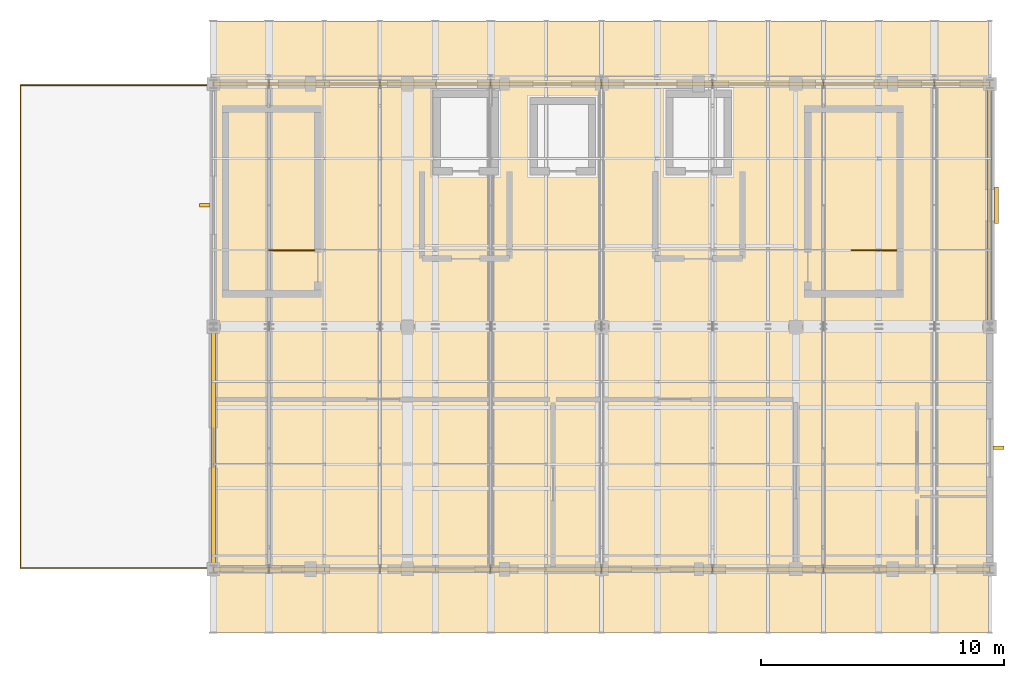
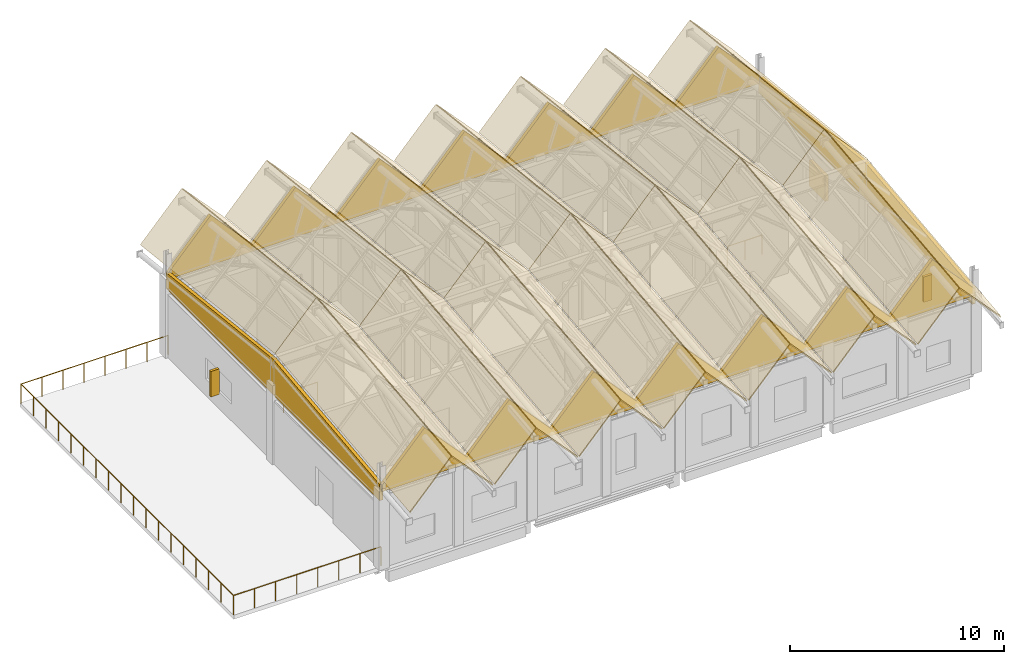
# One storey, part 15 of 15: 32 coverings, 3 railings, 3 shading devices.
"""IFC4 building model written with IfcOpenShell, lengths in metres."""

from ifc_helpers import new_model, si_unit, direction, frame, origin, origin_2d, place, context, subcontext, project, spatial, polyline, rectangle, circle, outline, extrude, material, layer, layer_set, type_object, element, save


model = new_model("IFC4")

# Units and contexts
model_context = context("Model", 3, precision=1e-05, world=origin(), true_north=direction((0.0, 1.0)))
body_context = subcontext(model_context, "Body", "Model", "MODEL_VIEW")
ifc_project = project(units=[si_unit("LENGTHUNIT", "METRE"), si_unit("AREAUNIT", "SQUARE_METRE"), si_unit("VOLUMEUNIT", "CUBIC_METRE"), si_unit("PLANEANGLEUNIT", "RADIAN"), si_unit("MASSUNIT", "GRAM", prefix="KILO")], contexts=[model_context])

# Site, building, storey
site_placement = place(None, origin())
site = spatial("IfcSite", under=ifc_project, at=site_placement, CompositionType="ELEMENT")
building_placement = place(site_placement, origin())
building = spatial("IfcBuilding", under=site, at=building_placement, Name="Luwemba Playhouse", CompositionType="ELEMENT")
storey_placement = place(building_placement, frame((0.0, 0.0, 22.800048828125)))
storey = spatial("IfcBuildingStorey", under=building, at=storey_placement, Name="L05", CompositionType="ELEMENT", Elevation=22.800048828125)

# Coverings
ifc_material_1 = material(Name="Glazed terracotta clay roof tile", Category="masonry")
ifc_layer_1 = layer(ifc_material_1, 0.06494140625)
ifc_layer_set_1 = layer_set([ifc_layer_1], Name="Glazed terracotta clay roof tile")
covering_type_1 = type_object("IfcCoveringType", Name="COV-ROOF-TILE", PredefinedType="ROOFING", material=ifc_layer_set_1)
covering_1_placement = place(storey_placement, frame((140.02490234375, 92.39990234375, 4.661376953125), z_axis=(-0.732953742841, -0.075830057606, 0.676038913983), x_axis=(0.677991015438, 0.0, 0.735070189155)))
element("IfcCovering", 1, at=covering_1_placement, inside=storey, type_object=covering_type_1, Name="RF-V6E glazed clay-tile roofing 1S", PredefinedType="ROOFING", context=body_context, shape_type="SweptSolid", body=[
    extrude(outline(polyline([(0.0, 0.0), (3.2977425848407798, 1.3877787807814457e-17), (4.336639392707256, 12.636481166819124), (1.038896807866476, 12.636481166819124), (0.0, 0.0)])), origin(), (0.0, 0.0, -1.0), 0.06494140625),
])
covering_2_placement = place(storey_placement, frame((140.02490234375, 105.0, 6.07470703125), z_axis=(-0.732953742841, 0.075830057606, 0.676038913983), x_axis=(0.677991015438, 0.0, 0.735070189155)))
element("IfcCovering", 2, at=covering_2_placement, inside=storey, type_object=covering_type_1, Name="RF-V6E glazed clay-tile roofing 1N", PredefinedType="ROOFING", context=body_context, shape_type="SweptSolid", body=[
    extrude(outline(polyline([(0.0, 0.0), (3.2977425848407798, -1.3877787807814457e-17), (2.2588457769743036, 12.636481166819124), (-1.038896807866476, 12.636481166819124), (0.0, 0.0)])), origin(), (0.0, 0.0, -1.0), 0.06494140625),
])
covering_3_placement = place(storey_placement, frame((142.310791015625, 92.39990234375, 7.08544921875), z_axis=(0.732990781785, -0.075825608971, 0.675999253581), x_axis=(0.677951010499, 0.0, -0.735107085644)))
element("IfcCovering", 3, at=covering_3_placement, inside=storey, type_object=covering_type_1, Name="RF-V6E glazed clay-tile roofing 2S", PredefinedType="ROOFING", context=body_context, shape_type="SweptSolid", body=[
    extrude(outline(polyline([(0.0, 0.0), (3.2975770645738196, 0.0), (2.2586281097904966, 12.636476879499455), (-1.038948954783323, 12.636476879499453), (0.0, 0.0)])), origin(), (0.0, 0.0, -1.0), 0.06494140625),
])
for number, where, z_axis, x_axis, name in (
    (4, (142.310791015625, 105.0, 8.498779296875), (0.732990781785, 0.075825608971, 0.675999253581), (0.677951010499, 0.0, -0.735107085644), "RF-V6E glazed clay-tile roofing 2N"),
    (5, (144.596435546875, 92.39990234375, 4.661376953125), (-0.732990781785, -0.075825608971, 0.675999253581), (0.677951010499, 0.0, 0.735107085644), "RF-V6E glazed clay-tile roofing 3S"),
):
    element("IfcCovering", number, at=place(storey_placement, frame(where, z_axis=z_axis, x_axis=x_axis)), inside=storey, type_object=covering_type_1, Name=name, PredefinedType="ROOFING", context=body_context, shape_type="SweptSolid", body=[
        extrude(outline(polyline([(0.0, 0.0), (3.2975770645738196, 0.0), (4.336526019357143, 12.636476879499453), (1.038948954783323, 12.636476879499453), (0.0, 0.0)])), origin(), (0.0, 0.0, -1.0), 0.06494140625),
    ])
covering_4_placement = place(storey_placement, frame((144.596435546875, 105.0, 6.07470703125), z_axis=(-0.732990781785, 0.075825608971, 0.675999253581), x_axis=(0.677951010499, 0.0, 0.735107085644)))
element("IfcCovering", 6, at=covering_4_placement, inside=storey, type_object=covering_type_1, Name="RF-V6E glazed clay-tile roofing 3N", PredefinedType="ROOFING", context=body_context, shape_type="SweptSolid", body=[
    extrude(outline(polyline([(0.0, 0.0), (3.2975770645738196, 0.0), (2.2586281097904966, 12.636476879499455), (-1.038948954783323, 12.636476879499453), (0.0, 0.0)])), origin(), (0.0, 0.0, -1.0), 0.06494140625),
])
covering_5_placement = place(storey_placement, frame((146.882080078125, 92.39990234375, 7.08544921875), z_axis=(0.732953742841, -0.075830057606, 0.676038913983), x_axis=(0.677991015438, 0.0, -0.735070189155)))
element("IfcCovering", 7, at=covering_5_placement, inside=storey, type_object=covering_type_1, Name="RF-V6E glazed clay-tile roofing 4S", PredefinedType="ROOFING", context=body_context, shape_type="SweptSolid", body=[
    extrude(outline(polyline([(0.0, 0.0), (3.2977425848407798, -1.3877787807814457e-17), (2.2588457769743036, 12.636481166819124), (-1.038896807866476, 12.636481166819124), (0.0, 0.0)])), origin(), (0.0, 0.0, -1.0), 0.06494140625),
])
covering_6_placement = place(storey_placement, frame((146.882080078125, 105.0, 8.498779296875), z_axis=(0.732953742841, 0.075830057606, 0.676038913983), x_axis=(0.677991015438, 0.0, -0.735070189155)))
element("IfcCovering", 8, at=covering_6_placement, inside=storey, type_object=covering_type_1, Name="RF-V6E glazed clay-tile roofing 4N", PredefinedType="ROOFING", context=body_context, shape_type="SweptSolid", body=[
    extrude(outline(polyline([(0.0, 0.0), (3.2977425848407798, 1.3877787807814457e-17), (4.336639392707256, 12.636481166819124), (1.038896807866476, 12.636481166819124), (0.0, 0.0)])), origin(), (0.0, 0.0, -1.0), 0.06494140625),
])
covering_7_placement = place(storey_placement, frame((149.16796875, 92.39990234375, 4.661376953125), z_axis=(-0.732990781785, -0.075825608971, 0.675999253581), x_axis=(0.677951010499, 0.0, 0.735107085644)))
element("IfcCovering", 9, at=covering_7_placement, inside=storey, type_object=covering_type_1, Name="RF-V6E glazed clay-tile roofing 5S", PredefinedType="ROOFING", context=body_context, shape_type="SweptSolid", body=[
    extrude(outline(polyline([(0.0, 0.0), (3.2975770645738196, 0.0), (4.336526019357143, 12.636476879499453), (1.038948954783323, 12.636476879499453), (0.0, 0.0)])), origin(), (0.0, 0.0, -1.0), 0.06494140625),
])
for number, where, z_axis, x_axis, name in (
    (10, (149.16796875, 105.0, 6.07470703125), (-0.732990781785, 0.075825608971, 0.675999253581), (0.677951010499, 0.0, 0.735107085644), "RF-V6E glazed clay-tile roofing 5N"),
    (11, (151.45361328125, 92.39990234375, 7.08544921875), (0.732990781785, -0.075825608971, 0.675999253581), (0.677951010499, 0.0, -0.735107085644), "RF-V6E glazed clay-tile roofing 6S"),
):
    element("IfcCovering", number, at=place(storey_placement, frame(where, z_axis=z_axis, x_axis=x_axis)), inside=storey, type_object=covering_type_1, Name=name, PredefinedType="ROOFING", context=body_context, shape_type="SweptSolid", body=[
        extrude(outline(polyline([(0.0, 0.0), (3.2975770645738196, 0.0), (2.2586281097904966, 12.636476879499455), (-1.038948954783323, 12.636476879499453), (0.0, 0.0)])), origin(), (0.0, 0.0, -1.0), 0.06494140625),
    ])
covering_8_placement = place(storey_placement, frame((151.45361328125, 105.0, 8.498779296875), z_axis=(0.732990781785, 0.075825608971, 0.675999253581), x_axis=(0.677951010499, 0.0, -0.735107085644)))
element("IfcCovering", 12, at=covering_8_placement, inside=storey, type_object=covering_type_1, Name="RF-V6E glazed clay-tile roofing 6N", PredefinedType="ROOFING", context=body_context, shape_type="SweptSolid", body=[
    extrude(outline(polyline([(0.0, 0.0), (3.2975770645738196, 0.0), (4.336526019357143, 12.636476879499453), (1.038948954783323, 12.636476879499453), (0.0, 0.0)])), origin(), (0.0, 0.0, -1.0), 0.06494140625),
])
covering_9_placement = place(storey_placement, frame((153.7392578125, 92.39990234375, 4.661376953125), z_axis=(-0.732953742841, -0.075830057606, 0.676038913983), x_axis=(0.677991015438, 0.0, 0.735070189155)))
element("IfcCovering", 13, at=covering_9_placement, inside=storey, type_object=covering_type_1, Name="RF-V6E glazed clay-tile roofing 7S", PredefinedType="ROOFING", context=body_context, shape_type="SweptSolid", body=[
    extrude(outline(polyline([(0.0, 0.0), (3.2977425848407798, 1.3877787807814457e-17), (4.336639392707256, 12.636481166819124), (1.038896807866476, 12.636481166819124), (0.0, 0.0)])), origin(), (0.0, 0.0, -1.0), 0.06494140625),
])
for number, where, z_axis, x_axis, name in (
    (14, (153.7392578125, 105.0, 6.07470703125), (-0.732953742841, 0.075830057606, 0.676038913983), (0.677991015438, 0.0, 0.735070189155), "RF-V6E glazed clay-tile roofing 7N"),
    (15, (156.02490234375, 92.39990234375, 7.08544921875), (0.732953742841, -0.075830057606, 0.676038913983), (0.677991015438, 0.0, -0.735070189155), "RF-V6E glazed clay-tile roofing 8S"),
):
    element("IfcCovering", number, at=place(storey_placement, frame(where, z_axis=z_axis, x_axis=x_axis)), inside=storey, type_object=covering_type_1, Name=name, PredefinedType="ROOFING", context=body_context, shape_type="SweptSolid", body=[
        extrude(outline(polyline([(0.0, 0.0), (3.2977425848407798, -1.3877787807814457e-17), (2.2588457769743036, 12.636481166819124), (-1.038896807866476, 12.636481166819124), (0.0, 0.0)])), origin(), (0.0, 0.0, -1.0), 0.06494140625),
    ])
covering_10_placement = place(storey_placement, frame((156.02490234375, 105.0, 8.498779296875), z_axis=(0.732953742841, 0.075830057606, 0.676038913983), x_axis=(0.677991015438, 0.0, -0.735070189155)))
element("IfcCovering", 16, at=covering_10_placement, inside=storey, type_object=covering_type_1, Name="RF-V6E glazed clay-tile roofing 8N", PredefinedType="ROOFING", context=body_context, shape_type="SweptSolid", body=[
    extrude(outline(polyline([(0.0, 0.0), (3.2977425848407798, 1.3877787807814457e-17), (4.336639392707256, 12.636481166819124), (1.038896807866476, 12.636481166819124), (0.0, 0.0)])), origin(), (0.0, 0.0, -1.0), 0.06494140625),
])
covering_11_placement = place(storey_placement, frame((158.310791015625, 92.39990234375, 4.661376953125), z_axis=(-0.732990781785, -0.075825608971, 0.675999253581), x_axis=(0.677951010499, 0.0, 0.735107085644)))
element("IfcCovering", 17, at=covering_11_placement, inside=storey, type_object=covering_type_1, Name="RF-V6E glazed clay-tile roofing 9S", PredefinedType="ROOFING", context=body_context, shape_type="SweptSolid", body=[
    extrude(outline(polyline([(0.0, 0.0), (3.2975770645738196, 0.0), (4.336526019357143, 12.636476879499453), (1.038948954783323, 12.636476879499453), (0.0, 0.0)])), origin(), (0.0, 0.0, -1.0), 0.06494140625),
])
for number, where, z_axis, x_axis, name in (
    (18, (158.310791015625, 105.0, 6.07470703125), (-0.732990781785, 0.075825608971, 0.675999253581), (0.677951010499, 0.0, 0.735107085644), "RF-V6E glazed clay-tile roofing 9N"),
    (19, (160.596435546875, 92.39990234375, 7.08544921875), (0.732990781785, -0.075825608971, 0.675999253581), (0.677951010499, 0.0, -0.735107085644), "RF-V6E glazed clay-tile roofing 10S"),
):
    element("IfcCovering", number, at=place(storey_placement, frame(where, z_axis=z_axis, x_axis=x_axis)), inside=storey, type_object=covering_type_1, Name=name, PredefinedType="ROOFING", context=body_context, shape_type="SweptSolid", body=[
        extrude(outline(polyline([(0.0, 0.0), (3.2975770645738196, 0.0), (2.2586281097904966, 12.636476879499455), (-1.038948954783323, 12.636476879499453), (0.0, 0.0)])), origin(), (0.0, 0.0, -1.0), 0.06494140625),
    ])
covering_12_placement = place(storey_placement, frame((160.596435546875, 105.0, 8.498779296875), z_axis=(0.732990781785, 0.075825608971, 0.675999253581), x_axis=(0.677951010499, 0.0, -0.735107085644)))
element("IfcCovering", 20, at=covering_12_placement, inside=storey, type_object=covering_type_1, Name="RF-V6E glazed clay-tile roofing 10N", PredefinedType="ROOFING", context=body_context, shape_type="SweptSolid", body=[
    extrude(outline(polyline([(0.0, 0.0), (3.2975770645738196, 0.0), (4.336526019357143, 12.636476879499453), (1.038948954783323, 12.636476879499453), (0.0, 0.0)])), origin(), (0.0, 0.0, -1.0), 0.06494140625),
])
covering_13_placement = place(storey_placement, frame((162.882080078125, 92.39990234375, 4.661376953125), z_axis=(-0.732953742841, -0.075830057606, 0.676038913983), x_axis=(0.677991015438, 0.0, 0.735070189155)))
element("IfcCovering", 21, at=covering_13_placement, inside=storey, type_object=covering_type_1, Name="RF-V6E glazed clay-tile roofing 11S", PredefinedType="ROOFING", context=body_context, shape_type="SweptSolid", body=[
    extrude(outline(polyline([(0.0, 0.0), (3.2977425848407798, 1.3877787807814457e-17), (4.336639392707256, 12.636481166819124), (1.038896807866476, 12.636481166819124), (0.0, 0.0)])), origin(), (0.0, 0.0, -1.0), 0.06494140625),
])
covering_14_placement = place(storey_placement, frame((162.882080078125, 105.0, 6.07470703125), z_axis=(-0.732953742841, 0.075830057606, 0.676038913983), x_axis=(0.677991015438, 0.0, 0.735070189155)))
element("IfcCovering", 22, at=covering_14_placement, inside=storey, type_object=covering_type_1, Name="RF-V6E glazed clay-tile roofing 11N", PredefinedType="ROOFING", context=body_context, shape_type="SweptSolid", body=[
    extrude(outline(polyline([(0.0, 0.0), (3.2977425848407798, -1.3877787807814457e-17), (2.2588457769743036, 12.636481166819124), (-1.038896807866476, 12.636481166819124), (0.0, 0.0)])), origin(), (0.0, 0.0, -1.0), 0.06494140625),
])
covering_15_placement = place(storey_placement, frame((165.16796875, 92.39990234375, 7.08544921875), z_axis=(0.732990781785, -0.075825608971, 0.675999253581), x_axis=(0.677951010499, 0.0, -0.735107085644)))
element("IfcCovering", 23, at=covering_15_placement, inside=storey, type_object=covering_type_1, Name="RF-V6E glazed clay-tile roofing 12S", PredefinedType="ROOFING", context=body_context, shape_type="SweptSolid", body=[
    extrude(outline(polyline([(0.0, 0.0), (3.2975770645738196, 0.0), (2.2586281097904966, 12.636476879499455), (-1.038948954783323, 12.636476879499453), (0.0, 0.0)])), origin(), (0.0, 0.0, -1.0), 0.06494140625),
])
for number, where, z_axis, x_axis, name in (
    (24, (165.16796875, 105.0, 8.498779296875), (0.732990781785, 0.075825608971, 0.675999253581), (0.677951010499, 0.0, -0.735107085644), "RF-V6E glazed clay-tile roofing 12N"),
    (25, (167.45361328125, 92.39990234375, 4.661376953125), (-0.732990781785, -0.075825608971, 0.675999253581), (0.677951010499, 0.0, 0.735107085644), "RF-V6E glazed clay-tile roofing 13S"),
):
    element("IfcCovering", number, at=place(storey_placement, frame(where, z_axis=z_axis, x_axis=x_axis)), inside=storey, type_object=covering_type_1, Name=name, PredefinedType="ROOFING", context=body_context, shape_type="SweptSolid", body=[
        extrude(outline(polyline([(0.0, 0.0), (3.2975770645738196, 0.0), (4.336526019357143, 12.636476879499453), (1.038948954783323, 12.636476879499453), (0.0, 0.0)])), origin(), (0.0, 0.0, -1.0), 0.06494140625),
    ])
covering_16_placement = place(storey_placement, frame((167.45361328125, 105.0, 6.07470703125), z_axis=(-0.732990781785, 0.075825608971, 0.675999253581), x_axis=(0.677951010499, 0.0, 0.735107085644)))
element("IfcCovering", 26, at=covering_16_placement, inside=storey, type_object=covering_type_1, Name="RF-V6E glazed clay-tile roofing 13N", PredefinedType="ROOFING", context=body_context, shape_type="SweptSolid", body=[
    extrude(outline(polyline([(0.0, 0.0), (3.2975770645738196, 0.0), (2.2586281097904966, 12.636476879499455), (-1.038948954783323, 12.636476879499453), (0.0, 0.0)])), origin(), (0.0, 0.0, -1.0), 0.06494140625),
])
covering_17_placement = place(storey_placement, frame((169.7392578125, 92.39990234375, 7.08544921875), z_axis=(0.732953742841, -0.075830057606, 0.676038913983), x_axis=(0.677991015438, 0.0, -0.735070189155)))
element("IfcCovering", 27, at=covering_17_placement, inside=storey, type_object=covering_type_1, Name="RF-V6E glazed clay-tile roofing 14S", PredefinedType="ROOFING", context=body_context, shape_type="SweptSolid", body=[
    extrude(outline(polyline([(0.0, 0.0), (3.2977425848407798, -1.3877787807814457e-17), (2.2588457769743036, 12.636481166819124), (-1.038896807866476, 12.636481166819124), (0.0, 0.0)])), origin(), (0.0, 0.0, -1.0), 0.06494140625),
])
covering_18_placement = place(storey_placement, frame((169.7392578125, 105.0, 8.498779296875), z_axis=(0.732953742841, 0.075830057606, 0.676038913983), x_axis=(0.677991015438, 0.0, -0.735070189155)))
element("IfcCovering", 28, at=covering_18_placement, inside=storey, type_object=covering_type_1, Name="RF-V6E glazed clay-tile roofing 14N", PredefinedType="ROOFING", context=body_context, shape_type="SweptSolid", body=[
    extrude(outline(polyline([(0.0, 0.0), (3.2977425848407798, 1.3877787807814457e-17), (4.336639392707256, 12.636481166819124), (1.038896807866476, 12.636481166819124), (0.0, 0.0)])), origin(), (0.0, 0.0, -1.0), 0.06494140625),
])
ifc_material_2 = material(Name="Structural timber GL24h gable wall infill", Category="wood")
ifc_layer_2 = layer(ifc_material_2, 0.179931640625)
ifc_layer_set_2 = layer_set([ifc_layer_2], Name="Structural timber GL24h gable wall infill")
covering_type_2 = type_object("IfcCoveringType", Name="COV-TIM-TYMP", PredefinedType="CLADDING", material=ifc_layer_set_2)
for number, where, z_axis, x_axis, name in (
    (29, (172.0, 95.0, 4.320068359375), (0.0, 0.0, 1.0), (-1.0, 0.0, 0.0), "RF-V6E south pleated timber fold wall 032"),
    (30, (140.0, 115.0, 4.320068359375), (0.0, 0.0, 1.0), (1.0, 0.0, 0.0), "RF-V6E north pleated timber fold wall 033"),
):
    element("IfcCovering", number, at=place(storey_placement, frame(where, z_axis=z_axis, x_axis=x_axis)), inside=storey, type_object=covering_type_2, Name=name, PredefinedType="CLADDING", context=body_context, shape_type="SweptSolid", body=[
        extrude(outline(polyline([(0.0, 0.0), (32.0, 0.0), (32.0, 0.375), (29.71435546875, 2.853271484375), (27.4287109375, 0.375), (25.142822265625, 2.853271484375), (22.857177734375, 0.375), (20.5712890625, 2.853271484375), (18.28564453125, 0.375), (16.0, 2.853271484375), (13.71435546875, 0.375), (11.4287109375, 2.853271484375), (9.142822265625, 0.375), (6.857177734375, 2.853271484375), (4.5712890625, 0.375), (2.28564453125, 2.853271484375), (0.0, 0.375), (0.0, 0.0)])), frame((0.0, 0.08984375, 0.0), z_axis=(0.0, -1.0, 0.0), x_axis=(1.0, 0.0, 0.0)), (0.0, 0.0, 1.0), 0.179931640625),
    ])
for number, where, z_axis, x_axis, name in (
    (31, (140.0, 95.0, 3.780029296875), (0.0, 0.0, 1.0), (0.0, 1.0, 0.0), "RF-V6E west timber gable infill 034"),
    (32, (172.0, 115.0, 3.780029296875), (0.0, 0.0, 1.0), (0.0, -1.0, 0.0), "RF-V6E east timber gable infill 035"),
):
    element("IfcCovering", number, at=place(storey_placement, frame(where, z_axis=z_axis, x_axis=x_axis)), inside=storey, type_object=covering_type_2, Name=name, PredefinedType="CLADDING", context=body_context, shape_type="SweptSolid", body=[
        extrude(outline(polyline([(0.0, 0.0), (20.0, 0.0), (20.0, 0.9150390625), (10.0, 2.03662109375), (0.0, 0.9150390625), (0.0, 0.0)])), frame((0.0, 0.08984375, 0.0), z_axis=(0.0, -1.0, 0.0), x_axis=(1.0, 0.0, 0.0)), (0.0, 0.0, 1.0), 0.179931640625),
    ])

# Railings
ifc_material_3 = material(Name="Painted wrought-iron balustrade", Category="steel")
railing_type_1 = type_object("IfcRailingType", Name="RLG-BAL-EXT", PredefinedType="BALUSTRADE", material=ifc_material_3)
railing_placement = place(storey_placement, frame((140.0, 95.050048828125, 0.0)))
element("IfcRailing", 33, at=railing_placement, inside=storey, type_object=railing_type_1, Name="L05 Archive Roof Terrace Level 5 perimeter guard", PredefinedType="BALUSTRADE", context=body_context, shape_type="SweptSolid", body=[
    extrude(circle(Radius=0.02392578125, at=origin_2d()), frame((0.0, 0.0, 1.09619140625), z_axis=(-1.0, 0.0, 0.0), x_axis=(0.0, -1.0, 0.0)), (0.0, 0.0, 1.0), 7.949951171875),
    extrude(circle(Radius=0.02392578125, at=origin_2d()), frame((-7.949951171875, 0.0, 1.09619140625), z_axis=(0.0, 1.0, 0.0), x_axis=(-1.0, 0.0, 0.0)), (0.0, 0.0, 1.0), 19.89990234375),
    extrude(circle(Radius=0.02392578125, at=origin_2d()), frame((-7.949951171875, 19.89990234375, 1.09619140625), z_axis=(1.0, 0.0, 0.0), x_axis=(0.0, 1.0, 0.0)), (0.0, 0.0, 1.0), 7.949951171875),
    extrude(circle(Radius=0.02099609375, at=origin_2d()), origin(), (0.0, 0.0, 1.0), 1.072021484375),
    extrude(circle(Radius=0.02099609375, at=origin_2d()), frame((-1.1357421875, 0.0, 0.0)), (0.0, 0.0, 1.0), 1.072021484375),
    extrude(circle(Radius=0.02099609375, at=origin_2d()), frame((-2.271484375, 0.0, 0.0)), (0.0, 0.0, 1.0), 1.072021484375),
    extrude(circle(Radius=0.02099609375, at=origin_2d()), frame((-3.4072265625, 0.0, 0.0)), (0.0, 0.0, 1.0), 1.072021484375),
    extrude(circle(Radius=0.02099609375, at=origin_2d()), frame((-4.542724609375, 0.0, 0.0)), (0.0, 0.0, 1.0), 1.072021484375),
    extrude(circle(Radius=0.02099609375, at=origin_2d()), frame((-5.678466796875, 0.0, 0.0)), (0.0, 0.0, 1.0), 1.072021484375),
    extrude(circle(Radius=0.02099609375, at=origin_2d()), frame((-6.814208984375, 0.0, 0.0)), (0.0, 0.0, 1.0), 1.072021484375),
    extrude(circle(Radius=0.02099609375, at=origin_2d()), frame((-7.949951171875, 0.0, 0.0)), (0.0, 0.0, 1.0), 1.072021484375),
    extrude(circle(Radius=0.02099609375, at=origin_2d()), frame((-7.949951171875, 1.170654296875, 0.0)), (0.0, 0.0, 1.0), 1.072021484375),
    extrude(circle(Radius=0.02099609375, at=origin_2d()), frame((-7.949951171875, 2.341064453125, 0.0)), (0.0, 0.0, 1.0), 1.072021484375),
    extrude(circle(Radius=0.02099609375, at=origin_2d()), frame((-7.949951171875, 3.51171875, 0.0)), (0.0, 0.0, 1.0), 1.072021484375),
    extrude(circle(Radius=0.02099609375, at=origin_2d()), frame((-7.949951171875, 4.682373046875, 0.0)), (0.0, 0.0, 1.0), 1.072021484375),
    extrude(circle(Radius=0.02099609375, at=origin_2d()), frame((-7.949951171875, 5.85302734375, 0.0)), (0.0, 0.0, 1.0), 1.072021484375),
    extrude(circle(Radius=0.02099609375, at=origin_2d()), frame((-7.949951171875, 7.0234375, 0.0)), (0.0, 0.0, 1.0), 1.072021484375),
    extrude(circle(Radius=0.02099609375, at=origin_2d()), frame((-7.949951171875, 8.194091796875, 0.0)), (0.0, 0.0, 1.0), 1.072021484375),
    extrude(circle(Radius=0.02099609375, at=origin_2d()), frame((-7.949951171875, 9.36474609375, 0.0)), (0.0, 0.0, 1.0), 1.072021484375),
    extrude(circle(Radius=0.02099609375, at=origin_2d()), frame((-7.949951171875, 10.53515625, 0.0)), (0.0, 0.0, 1.0), 1.072021484375),
    extrude(circle(Radius=0.02099609375, at=origin_2d()), frame((-7.949951171875, 11.705810546875, 0.0)), (0.0, 0.0, 1.0), 1.072021484375),
    extrude(circle(Radius=0.02099609375, at=origin_2d()), frame((-7.949951171875, 12.87646484375, 0.0)), (0.0, 0.0, 1.0), 1.072021484375),
    extrude(circle(Radius=0.02099609375, at=origin_2d()), frame((-7.949951171875, 14.046875, 0.0)), (0.0, 0.0, 1.0), 1.072021484375),
    extrude(circle(Radius=0.02099609375, at=origin_2d()), frame((-7.949951171875, 15.217529296875, 0.0)), (0.0, 0.0, 1.0), 1.072021484375),
    extrude(circle(Radius=0.02099609375, at=origin_2d()), frame((-7.949951171875, 16.38818359375, 0.0)), (0.0, 0.0, 1.0), 1.072021484375),
    extrude(circle(Radius=0.02099609375, at=origin_2d()), frame((-7.949951171875, 17.558837890625, 0.0)), (0.0, 0.0, 1.0), 1.072021484375),
    extrude(circle(Radius=0.02099609375, at=origin_2d()), frame((-7.949951171875, 18.729248046875, 0.0)), (0.0, 0.0, 1.0), 1.072021484375),
    extrude(circle(Radius=0.02099609375, at=origin_2d()), frame((-7.949951171875, 19.89990234375, 0.0)), (0.0, 0.0, 1.0), 1.072021484375),
    extrude(circle(Radius=0.02099609375, at=origin_2d()), frame((-6.814208984375, 19.89990234375, 0.0)), (0.0, 0.0, 1.0), 1.072021484375),
    extrude(circle(Radius=0.02099609375, at=origin_2d()), frame((-5.678466796875, 19.89990234375, 0.0)), (0.0, 0.0, 1.0), 1.072021484375),
    extrude(circle(Radius=0.02099609375, at=origin_2d()), frame((-4.542724609375, 19.89990234375, 0.0)), (0.0, 0.0, 1.0), 1.072021484375),
    extrude(circle(Radius=0.02099609375, at=origin_2d()), frame((-3.4072265625, 19.89990234375, 0.0)), (0.0, 0.0, 1.0), 1.072021484375),
    extrude(circle(Radius=0.02099609375, at=origin_2d()), frame((-2.271484375, 19.89990234375, 0.0)), (0.0, 0.0, 1.0), 1.072021484375),
    extrude(circle(Radius=0.02099609375, at=origin_2d()), frame((-1.1357421875, 19.89990234375, 0.0)), (0.0, 0.0, 1.0), 1.072021484375),
    extrude(circle(Radius=0.02099609375, at=origin_2d()), frame((0.0, 19.89990234375, 0.0)), (0.0, 0.0, 1.0), 1.072021484375),
])
ifc_material_4 = material(Name="Painted wrought-iron gallery balustrade", Category="steel")
railing_type_2 = type_object("IfcRailingType", Name="RLG-BAL-INT", PredefinedType="BALUSTRADE", material=ifc_material_4)
for number, where, name in (
    (34, (144.14990234375, 108.14990234375, 0.0), "L05 ST-09 top well guard 1"),
    (35, (168.14990234375, 108.14990234375, 0.0), "L05 ST-10 top well guard 1"),
):
    element("IfcRailing", number, at=place(storey_placement, frame(where)), inside=storey, type_object=railing_type_2, Name=name, PredefinedType="BALUSTRADE", context=body_context, shape_type="SweptSolid", body=[
        extrude(circle(Radius=0.02392578125, at=origin_2d()), frame((0.0, 0.0, 1.09619140625), z_axis=(-1.0, 0.0, 0.0), x_axis=(0.0, -1.0, 0.0)), (0.0, 0.0, 1.0), 1.849853515625),
        extrude(circle(Radius=0.02099609375, at=origin_2d()), origin(), (0.0, 0.0, 1.0), 1.072021484375),
        extrude(circle(Radius=0.02099609375, at=origin_2d()), frame((-0.9248046875, 0.0, 0.0)), (0.0, 0.0, 1.0), 1.072021484375),
        extrude(circle(Radius=0.02099609375, at=origin_2d()), frame((-1.849853515625, 0.0, 0.0)), (0.0, 0.0, 1.0), 1.072021484375),
    ])

# Shading devices
ifc_material_5 = material(Name="Extruded terracotta brise-soleil fin on steel bracket", Category="masonry")
shading_device_type_1 = type_object("IfcShadingDeviceType", Name="SHD-BRISE", PredefinedType="USERDEFINED", material=ifc_material_5)
for number, where, z_axis, x_axis, name in (
    (36, (139.639892578125, 110.0, 0.8251953125), (0.0, 0.0, 1.0), (0.0, 1.0, 0.0), "L05 terracotta brise-soleil fin 083"),
    (37, (172.360107421875, 100.0, 0.8251953125), (0.0, 0.0, 1.0), (0.0, -1.0, 0.0), "L05 terracotta brise-soleil fin 085"),
):
    element("IfcShadingDevice", number, at=place(storey_placement, frame(where, z_axis=z_axis, x_axis=x_axis)), inside=storey, type_object=shading_device_type_1, Name=name, ObjectType="TERRACOTTA BRISE SOLEIL", PredefinedType="USERDEFINED", context=body_context, shape_type="SweptSolid", body=[
        extrude(rectangle(XDim=0.139892578125, YDim=0.449951171875, at=origin_2d()), origin(), (0.0, 0.0, 1.0), 1.449951171875),
    ])
ifc_material_6 = material(Name="Kiln-fired terracotta gelosia louvre screen", Category="masonry")
shading_device_type_2 = type_object("IfcShadingDeviceType", Name="SHD-GELOSIA", PredefinedType="JALOUSIE", material=ifc_material_6)
shading_device_placement = place(storey_placement, frame((172.27490234375, 110.0, 0.9248046875), z_axis=(0.0, 0.0, 1.0), x_axis=(0.0, -1.0, 0.0)))
element("IfcShadingDevice", 38, at=shading_device_placement, inside=storey, type_object=shading_device_type_2, Name="L05 fired-clay gelosia screen 084", PredefinedType="JALOUSIE", context=body_context, shape_type="SweptSolid", body=[
    extrude(rectangle(XDim=1.5, YDim=0.179931640625, at=origin_2d()), origin(), (0.0, 0.0, 1.0), 1.449951171875),
])

save(model, "model.ifc")
